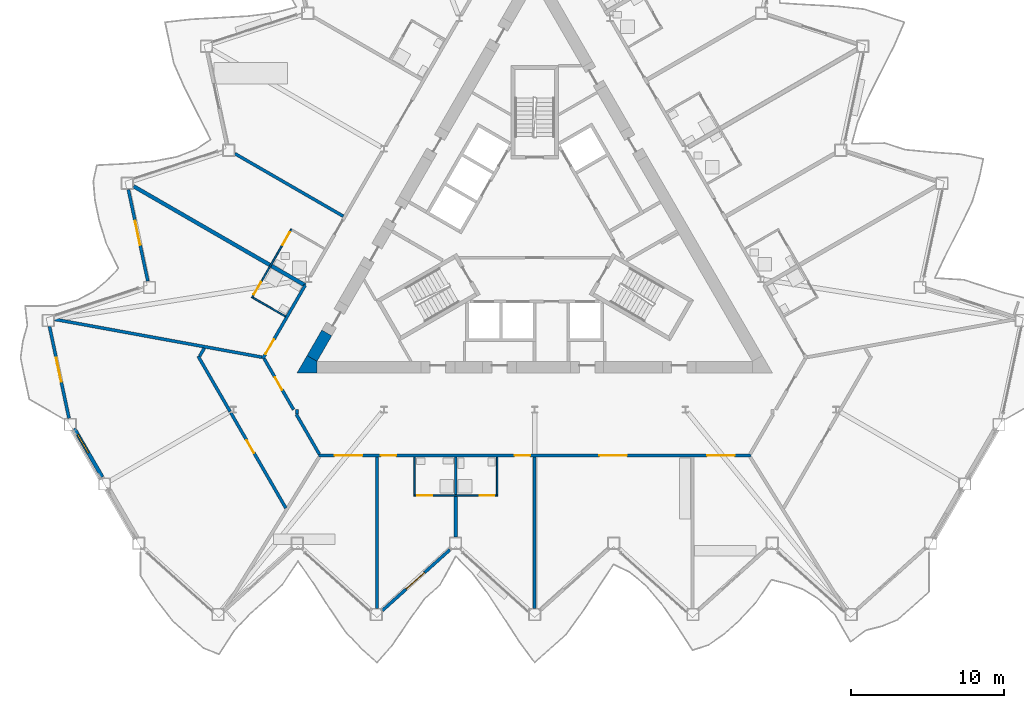
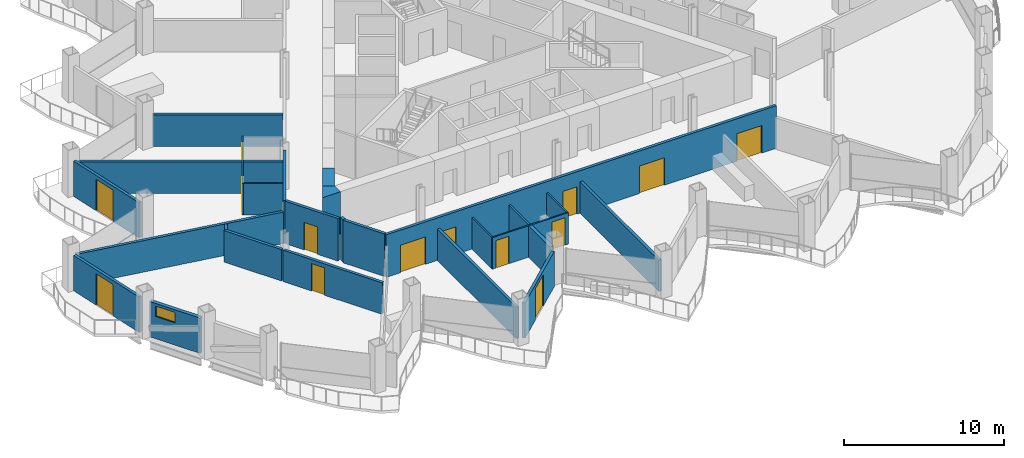
# One storey, part 11 of 24: 26 walls, 15 doors, 1 window, 16 openings.
"""IFC4 building model written with IfcOpenShell, lengths in metres."""

from ifc_helpers import new_model, si_unit, direction, frame, frame_2d, origin, place, context, subcontext, project, spatial, polyline, rectangle, outline, extrude, material, layer, layer_set, type_object, element, fill, save


model = new_model("IFC4")

# Units and contexts
model_context = context("Model", 3, precision=1e-05, world=origin(), true_north=direction((0.0, 1.0)))
body_context = subcontext(model_context, "Body", "Model", "MODEL_VIEW")
ifc_project = project(units=[si_unit("LENGTHUNIT", "METRE"), si_unit("AREAUNIT", "SQUARE_METRE"), si_unit("VOLUMEUNIT", "CUBIC_METRE"), si_unit("PLANEANGLEUNIT", "RADIAN"), si_unit("MASSUNIT", "GRAM", prefix="KILO")], contexts=[model_context])

# Site, building, storey
site_placement = place(None, origin())
site = spatial("IfcSite", under=ifc_project, at=site_placement, CompositionType="ELEMENT")
building_placement = place(site_placement, origin())
building = spatial("IfcBuilding", under=site, at=building_placement, Name="Cormorant Prow Tower", CompositionType="ELEMENT")
storey_placement = place(building_placement, frame((0.0, 0.0, 201.60009765625)))
storey = spatial("IfcBuildingStorey", under=building, at=storey_placement, Name="L44", CompositionType="ELEMENT", Elevation=201.60009765625)

# Walls
ifc_material_1 = material(Name="Concrete 8000 psi", Category="concrete")
ifc_layer_1 = layer(ifc_material_1, 0.75)
ifc_layer_set_1 = layer_set([ifc_layer_1], Name="Concrete 8000 psi")
wall_type_1 = type_object("IfcWallType", Name="Core shear wall 750", PredefinedType="SHEAR", material=ifc_layer_set_1)
wall_1_placement = place(storey_placement, frame((-13.564208984375, -6.34619140625, 0.0), z_axis=(0.0, 0.0, 1.0), x_axis=(-0.499989888488, -0.86603124159, 0.0)))
element("IfcWall", 1, at=wall_1_placement, inside=storey, type_object=wall_type_1, Name="Core wall", PredefinedType="SHEAR", context=body_context, shape_type="SweptSolid", body=[
    extrude(rectangle(XDim=1.9228515625, YDim=0.75, at=frame_2d((0.96142578125, 0.0))), origin(), (0.0, 0.0, 1.0), 3.25),
])
wall_2_placement = place(storey_placement, origin())
element("IfcWall", 2, at=wall_2_placement, inside=storey, type_object=wall_type_1, Name="Core wall corner", PredefinedType="SHEAR", context=body_context, shape_type="SweptSolid", body=[
    extrude(outline(polyline([(-14.8505859375, -7.823974609375), (-14.200927734375, -8.198974609375), (-14.200927734375, -8.948974609375), (-15.5, -8.948974609375), (-14.8505859375, -7.823974609375)])), origin(), (0.0, 0.0, 1.0), 3.25),
])

# Wall, openings, doors
ifc_material_2 = material(Name="Gypsum board corridor wall")
ifc_layer_2 = layer(ifc_material_2, 0.199951171875)
ifc_layer_set_2 = layer_set([ifc_layer_2], Name="Gypsum board corridor wall")
wall_type_2 = type_object("IfcWallType", Name="Corridor wall 200", PredefinedType="PARTITIONING", material=ifc_layer_set_2)
wall_3_placement = place(storey_placement, frame((-14.098876953125, -14.348876953125, 0.0), z_axis=(0.0, 0.0, 1.0), x_axis=(1.0, 0.0, 0.0)))
wall_3 = element("IfcWall", 3, at=wall_3_placement, inside=storey, type_object=wall_type_2, Name="Corridor wall", PredefinedType="PARTITIONING", context=body_context, shape_type="SweptSolid", body=[
    extrude(rectangle(XDim=28.19775390625, YDim=0.199951171875, at=frame_2d((14.098876953125, 0.0))), origin(), (0.0, 0.0, 1.0), 3.25),
])
opening_1_placement = place(wall_3_placement, frame((1.052978515625, 0.0, 0.0)))
opening_1 = element("IfcOpeningElement", 4, at=opening_1_placement, cuts=wall_3, Name="Opening L44-F01", PredefinedType="OPENING", context=body_context, shape_type="SweptSolid", body=[
    extrude(rectangle(XDim=1.800048828125, YDim=2.10009765625, at=frame_2d((0.89990234375, 1.050048828125))), frame((0.0, 0.10986328125, 0.0), z_axis=(0.0, -1.0, 0.0), x_axis=(1.0, 0.0, 0.0)), (0.0, 0.0, 1.0), 0.219970703125),
])
opening_2_placement = place(wall_3_placement, frame((4.06396484375, 0.0, 0.0)))
opening_2 = element("IfcOpeningElement", 5, at=opening_2_placement, cuts=wall_3, Name="Opening L44-F02", PredefinedType="OPENING", context=body_context, shape_type="SweptSolid", body=[
    extrude(rectangle(XDim=1.0, YDim=2.10009765625, at=frame_2d((0.5, 1.050048828125))), frame((0.0, 0.10986328125, 0.0), z_axis=(0.0, -1.0, 0.0), x_axis=(1.0, 0.0, 0.0)), (0.0, 0.0, 1.0), 0.219970703125),
])
opening_3_placement = place(wall_3_placement, frame((12.7958984375, 0.0, 0.0)))
opening_3 = element("IfcOpeningElement", 6, at=opening_3_placement, cuts=wall_3, Name="Opening L44-F04", PredefinedType="OPENING", context=body_context, shape_type="SweptSolid", body=[
    extrude(rectangle(XDim=1.0, YDim=2.10009765625, at=frame_2d((0.5, 1.050048828125))), frame((0.0, 0.10986328125, 0.0), z_axis=(0.0, -1.0, 0.0), x_axis=(1.0, 0.0, 0.0)), (0.0, 0.0, 1.0), 0.219970703125),
])
opening_4_placement = place(wall_3_placement, frame((18.318115234375, 0.0, 0.0)))
opening_4 = element("IfcOpeningElement", 7, at=opening_4_placement, cuts=wall_3, Name="Opening L44-F06", PredefinedType="OPENING", context=body_context, shape_type="SweptSolid", body=[
    extrude(rectangle(XDim=1.800048828125, YDim=2.10009765625, at=frame_2d((0.89990234375, 1.050048828125))), frame((0.0, 0.10986328125, 0.0), z_axis=(0.0, -1.0, 0.0), x_axis=(1.0, 0.0, 0.0)), (0.0, 0.0, 1.0), 0.219970703125),
])
opening_5_placement = place(wall_3_placement, frame((25.3447265625, 0.0, 0.0)))
opening_5 = element("IfcOpeningElement", 8, at=opening_5_placement, cuts=wall_3, Name="Opening L44-F07", PredefinedType="OPENING", context=body_context, shape_type="SweptSolid", body=[
    extrude(rectangle(XDim=1.800048828125, YDim=2.10009765625, at=frame_2d((0.89990234375, 1.050048828125))), frame((0.0, 0.10986328125, 0.0), z_axis=(0.0, -1.0, 0.0), x_axis=(1.0, 0.0, 0.0)), (0.0, 0.0, 1.0), 0.219970703125),
])
ifc_material_3 = material(Name="Timber door leaf", Category="wood")
door_type_1 = type_object("IfcDoorType", Name="Double door 1800x2100", OperationType="DOUBLE_DOOR_SINGLE_SWING", PredefinedType="DOOR", material=ifc_material_3)
door_1_placement = place(opening_1_placement, origin())
door_1 = element("IfcDoor", 9, at=door_1_placement, inside=storey, type_object=door_type_1, Name="Fitness room door", OperationType="DOUBLE_DOOR_SINGLE_SWING", OverallHeight=2.10009765625, OverallWidth=1.800048828125, PredefinedType="DOOR", context=body_context, shape_type="SweptSolid", body=[
    extrude(rectangle(XDim=1.800048828125, YDim=2.10009765625, at=frame_2d((0.89990234375, 1.050048828125))), frame((0.0, 0.02490234375, 0.0), z_axis=(0.0, -1.0, 0.0), x_axis=(1.0, 0.0, 0.0)), (0.0, 0.0, 1.0), 0.050048828125),
])
fill(opening_1, door_1)
door_2_placement = place(opening_4_placement, origin())
door_2 = element("IfcDoor", 10, at=door_2_placement, inside=storey, type_object=door_type_1, Name="Yoga studio door", OperationType="DOUBLE_DOOR_SINGLE_SWING", OverallHeight=2.10009765625, OverallWidth=1.800048828125, PredefinedType="DOOR", context=body_context, shape_type="SweptSolid", body=[
    extrude(rectangle(XDim=1.800048828125, YDim=2.10009765625, at=frame_2d((0.89990234375, 1.050048828125))), frame((0.0, 0.02490234375, 0.0), z_axis=(0.0, -1.0, 0.0), x_axis=(1.0, 0.0, 0.0)), (0.0, 0.0, 1.0), 0.050048828125),
])
fill(opening_4, door_2)
door_3_placement = place(opening_5_placement, origin())
door_3 = element("IfcDoor", 11, at=door_3_placement, inside=storey, type_object=door_type_1, Name="Wellness studio door", OperationType="DOUBLE_DOOR_SINGLE_SWING", OverallHeight=2.10009765625, OverallWidth=1.800048828125, PredefinedType="DOOR", context=body_context, shape_type="SweptSolid", body=[
    extrude(rectangle(XDim=1.800048828125, YDim=2.10009765625, at=frame_2d((0.89990234375, 1.050048828125))), frame((0.0, 0.02490234375, 0.0), z_axis=(0.0, -1.0, 0.0), x_axis=(1.0, 0.0, 0.0)), (0.0, 0.0, 1.0), 0.050048828125),
])
fill(opening_5, door_3)
ifc_material_4 = material(Name="Timber door leaf", Category="wood")
door_type_2 = type_object("IfcDoorType", Name="Flat or room entrance door 1000x2100", OperationType="NOTDEFINED", PredefinedType="DOOR", material=ifc_material_4)
door_4_placement = place(opening_2_placement, origin())
door_4 = element("IfcDoor", 12, at=door_4_placement, inside=storey, type_object=door_type_2, Name="Guest room door", OperationType="SINGLE_SWING_LEFT", OverallHeight=2.10009765625, OverallWidth=1.0, PredefinedType="DOOR", context=body_context, shape_type="SweptSolid", body=[
    extrude(rectangle(XDim=1.0, YDim=2.10009765625, at=frame_2d((0.5, 1.050048828125))), frame((0.0, 0.02490234375, 0.0), z_axis=(0.0, -1.0, 0.0), x_axis=(1.0, 0.0, 0.0)), (0.0, 0.0, 1.0), 0.050048828125),
])
fill(opening_2, door_4)
door_5_placement = place(opening_3_placement, origin())
door_5 = element("IfcDoor", 13, at=door_5_placement, inside=storey, type_object=door_type_2, Name="Guest room door", OperationType="SINGLE_SWING_RIGHT", OverallHeight=2.10009765625, OverallWidth=1.0, PredefinedType="DOOR", context=body_context, shape_type="SweptSolid", body=[
    extrude(rectangle(XDim=1.0, YDim=2.10009765625, at=frame_2d((0.5, 1.050048828125))), frame((0.0, 0.02490234375, 0.0), z_axis=(0.0, -1.0, 0.0), x_axis=(1.0, 0.0, 0.0)), (0.0, 0.0, 1.0), 0.050048828125),
])
fill(opening_3, door_5)

# Wall, opening, door
wall_4_placement = place(storey_placement, frame((-17.743896484375, -8.035400390625, 0.0), z_axis=(0.0, 0.0, 1.0), x_axis=(0.500003221507, 0.866023543838, 0.0)))
wall_4 = element("IfcWall", 14, at=wall_4_placement, inside=storey, type_object=wall_type_2, Name="Corridor wall", PredefinedType="PARTITIONING", context=body_context, shape_type="SweptSolid", body=[
    extrude(rectangle(XDim=5.544921875, YDim=0.199951171875, at=frame_2d((2.7724609375, 0.0))), origin(), (0.0, 0.0, 1.0), 3.25),
])
opening_6_placement = place(wall_4_placement, frame((0.35107421875, 0.0, 0.0)))
opening_6 = element("IfcOpeningElement", 15, at=opening_6_placement, cuts=wall_4, Name="Opening L44-F28", PredefinedType="OPENING", context=body_context, shape_type="SweptSolid", body=[
    extrude(rectangle(XDim=1.10009765625, YDim=2.10009765625, at=frame_2d((0.550048828125, 1.050048828125))), frame((0.0, 0.10986328125, 0.0), z_axis=(0.0, -1.0, 0.0), x_axis=(1.0, 0.0, 0.0)), (0.0, 0.0, 1.0), 0.219970703125),
])
ifc_material_5 = material(Name="Timber door leaf", Category="wood")
door_type_3 = type_object("IfcDoorType", Name="Suite entrance door 1100x2100", OperationType="NOTDEFINED", PredefinedType="DOOR", material=ifc_material_5)
door_6_placement = place(opening_6_placement, origin())
door_6 = element("IfcDoor", 16, at=door_6_placement, inside=storey, type_object=door_type_3, Name="Junior suite door", OperationType="SINGLE_SWING_LEFT", OverallHeight=2.10009765625, OverallWidth=1.10009765625, PredefinedType="DOOR", context=body_context, shape_type="SweptSolid", body=[
    extrude(rectangle(XDim=1.10009765625, YDim=2.10009765625, at=frame_2d((0.550048828125, 1.050048828125))), frame((0.0, 0.02490234375, 0.0), z_axis=(0.0, -1.0, 0.0), x_axis=(1.0, 0.0, 0.0)), (0.0, 0.0, 1.0), 0.050048828125),
])
fill(opening_6, door_6)

wall_5_placement = place(storey_placement, frame((-17.643798828125, -8.035400390625, 0.0), z_axis=(0.0, 0.0, 1.0), x_axis=(0.499961815444, -0.866047448526, 0.0)))
wall_5 = element("IfcWall", 17, at=wall_5_placement, inside=storey, type_object=wall_type_2, Name="Corridor wall", PredefinedType="PARTITIONING", context=body_context, shape_type="SweptSolid", body=[
    extrude(rectangle(XDim=3.825927734375, YDim=0.199951171875, at=frame_2d((1.9130859375, 0.0))), origin(), (0.0, 0.0, 1.0), 3.25),
])
opening_7_placement = place(wall_5_placement, frame((1.38623046875, 0.0, 0.0)))
opening_7 = element("IfcOpeningElement", 18, at=opening_7_placement, cuts=wall_5, Name="Opening L44-F30", PredefinedType="OPENING", context=body_context, shape_type="SweptSolid", body=[
    extrude(rectangle(XDim=0.949951171875, YDim=2.10009765625, at=frame_2d((0.47509765625, 1.050048828125))), frame((0.0, 0.10986328125, 0.0), z_axis=(0.0, -1.0, 0.0), x_axis=(1.0, 0.0, 0.0)), (0.0, 0.0, 1.0), 0.219970703125),
])
ifc_material_6 = material(Name="Timber door leaf", Category="wood")
door_type_4 = type_object("IfcDoorType", Name="Store door 950x2100", OperationType="NOTDEFINED", PredefinedType="DOOR", material=ifc_material_6)
door_7_placement = place(opening_7_placement, origin())
door_7 = element("IfcDoor", 19, at=door_7_placement, inside=storey, type_object=door_type_4, Name="Guest pantry door", OperationType="SINGLE_SWING_LEFT", OverallHeight=2.10009765625, OverallWidth=0.949951171875, PredefinedType="DOOR", context=body_context, shape_type="SweptSolid", body=[
    extrude(rectangle(XDim=0.949951171875, YDim=2.10009765625, at=frame_2d((0.47509765625, 1.050048828125))), frame((0.0, 0.02490234375, 0.0), z_axis=(0.0, -1.0, 0.0), x_axis=(1.0, 0.0, 0.0)), (0.0, 0.0, 1.0), 0.050048828125),
])
fill(opening_7, door_7)

# Walls
wall_6_placement = place(storey_placement, frame((-15.550048828125, -11.662353515625, 0.0), z_axis=(0.0, 0.0, 1.0), x_axis=(0.500048608389, -0.865997337899, 0.0)))
element("IfcWall", 20, at=wall_6_placement, inside=storey, type_object=wall_type_2, Name="Corridor wall", PredefinedType="PARTITIONING", context=body_context, shape_type="SweptSolid", body=[
    extrude(rectangle(XDim=3.002197265625, YDim=0.199951171875, at=frame_2d((1.5009765625, 0.0))), origin(), (0.0, 0.0, 1.0), 3.25),
])
wall_7_placement = place(storey_placement, frame((-15.5, -11.64892578125, 0.0), z_axis=(0.0, 0.0, 1.0), x_axis=(0.0, 1.0, 0.0)))
element("IfcWall", 21, at=wall_7_placement, inside=storey, type_object=wall_type_2, Name="Corridor wall", PredefinedType="PARTITIONING", context=body_context, shape_type="SweptSolid", body=[
    extrude(rectangle(XDim=0.31005859375, YDim=0.199951171875, at=frame_2d((0.155029296875, 0.0))), origin(), (0.0, 0.0, 1.0), 3.25),
])
ifc_material_7 = material(Name="Gypsum board demising wall")
ifc_layer_3 = layer(ifc_material_7, 0.199951171875)
ifc_layer_set_3 = layer_set([ifc_layer_3], Name="Gypsum board demising wall")
wall_type_3 = type_object("IfcWallType", Name="Demising wall 200", PredefinedType="PARTITIONING", material=ifc_layer_set_3)
wall_8_placement = place(storey_placement, frame((-31.3291015625, -5.4580078125, 0.0), z_axis=(0.0, 0.0, 1.0), x_axis=(0.983720538919, -0.179705039744, 0.0)))
element("IfcWall", 22, at=wall_8_placement, inside=storey, type_object=wall_type_3, Name="Demising wall", PredefinedType="PARTITIONING", context=body_context, shape_type="SweptSolid", body=[
    extrude(rectangle(XDim=13.760986328125, YDim=0.199951171875, at=frame_2d((6.88037109375, 0.0))), origin(), (0.0, 0.0, 1.0), 2.404052734375),
])
for number, where, z_axis, x_axis, name in (
    (23, (-10.296142578125, -24.3115234375, 0.0), (0.0, 0.0, 1.0), (0.0, 1.0, 0.0), "Demising wall"),
    (24, (0.0, -24.3115234375, 0.0), (0.0, 0.0, 1.0), (0.0, 1.0, 0.0), "Demising wall"),
):
    element("IfcWall", number, at=place(storey_placement, frame(where, z_axis=z_axis, x_axis=x_axis)), inside=storey, type_object=wall_type_3, Name=name, PredefinedType="PARTITIONING", context=body_context, shape_type="SweptSolid", body=[
        extrude(rectangle(XDim=9.862548828125, YDim=0.199951171875, at=frame_2d((4.93115234375, 0.0))), origin(), (0.0, 0.0, 1.0), 2.404052734375),
    ])
wall_9_placement = place(storey_placement, frame((-19.5546875, 5.345458984375, 0.0), z_axis=(0.0, 0.0, 1.0), x_axis=(0.866026623601, -0.49999788721, 0.0)))
element("IfcWall", 25, at=wall_9_placement, inside=storey, type_object=wall_type_3, Name="Demising wall", PredefinedType="PARTITIONING", context=body_context, shape_type="SweptSolid", body=[
    extrude(rectangle(XDim=8.15869140625, YDim=0.199951171875, at=frame_2d((4.079345703125, 0.0))), origin(), (0.0, 0.0, 1.0), 2.404052734375),
])

# Wall, opening, door
wall_10_placement = place(storey_placement, frame((-19.822265625, -11.5625, 0.0), z_axis=(0.0, 0.0, 1.0), x_axis=(0.500008997517, -0.866020209003, 0.0)))
wall_10 = element("IfcWall", 26, at=wall_10_placement, inside=storey, type_object=wall_type_3, Name="Demising wall", PredefinedType="PARTITIONING", context=body_context, shape_type="SweptSolid", body=[
    extrude(rectangle(XDim=7.178466796875, YDim=0.199951171875, at=frame_2d((3.58935546875, 0.0))), origin(), (0.0, 0.0, 1.0), 2.404052734375),
])
opening_8_placement = place(wall_10_placement, frame((2.05908203125, 0.0, 0.0)))
opening_8 = element("IfcOpeningElement", 27, at=opening_8_placement, cuts=wall_10, Name="Opening L44-F31", PredefinedType="OPENING", context=body_context, shape_type="SweptSolid", body=[
    extrude(rectangle(XDim=0.949951171875, YDim=2.10009765625, at=frame_2d((0.47509765625, 1.050048828125))), frame((0.0, 0.10986328125, 0.0), z_axis=(0.0, -1.0, 0.0), x_axis=(1.0, 0.0, 0.0)), (0.0, 0.0, 1.0), 0.219970703125),
])
door_8_placement = place(opening_8_placement, origin())
door_8 = element("IfcDoor", 28, at=door_8_placement, inside=storey, type_object=door_type_4, Name="Luggage store door", OperationType="SINGLE_SWING_LEFT", OverallHeight=2.10009765625, OverallWidth=0.949951171875, PredefinedType="DOOR", context=body_context, shape_type="SweptSolid", body=[
    extrude(rectangle(XDim=0.949951171875, YDim=2.10009765625, at=frame_2d((0.47509765625, 1.050048828125))), frame((0.0, 0.02490234375, 0.0), z_axis=(0.0, -1.0, 0.0), x_axis=(1.0, 0.0, 0.0)), (0.0, 0.0, 1.0), 0.050048828125),
])
fill(opening_8, door_8)

# Walls
wall_11_placement = place(storey_placement, frame((-21.95849609375, -7.8623046875, 0.0), z_axis=(0.0, 0.0, 1.0), x_axis=(0.499987304225, -0.866032733569, 0.0)))
element("IfcWall", 29, at=wall_11_placement, inside=storey, type_object=wall_type_3, Name="Demising wall", PredefinedType="PARTITIONING", context=body_context, shape_type="SweptSolid", body=[
    extrude(rectangle(XDim=4.17578125, YDim=0.199951171875, at=frame_2d((2.087890625, 0.0))), origin(), (0.0, 0.0, 1.0), 2.404052734375),
])
wall_12_placement = place(storey_placement, frame((-21.858642578125, -7.8623046875, 0.0), z_axis=(0.0, 0.0, 1.0), x_axis=(0.50022374246, 0.865896187473, 0.0)))
element("IfcWall", 30, at=wall_12_placement, inside=storey, type_object=wall_type_3, Name="Demising wall", PredefinedType="PARTITIONING", context=body_context, shape_type="SweptSolid", body=[
    extrude(rectangle(XDim=0.604248046875, YDim=0.199951171875, at=frame_2d((0.30224609375, 0.0))), origin(), (0.0, 0.0, 1.0), 2.404052734375),
])

# Wall, openings, doors
ifc_material_8 = material(Name="Gypsum board partition")
ifc_layer_4 = layer(ifc_material_8, 0.10009765625)
ifc_layer_set_4 = layer_set([ifc_layer_4], Name="Gypsum board partition")
wall_type_4 = type_object("IfcWallType", Name="Internal partition 100", PredefinedType="PARTITIONING", material=ifc_layer_set_4)
wall_13_placement = place(storey_placement, frame((-7.89794921875, -16.948974609375, 0.0), z_axis=(0.0, 0.0, 1.0), x_axis=(1.0, 0.0, 0.0)))
wall_13 = element("IfcWall", 31, at=wall_13_placement, inside=storey, type_object=wall_type_4, Name="Internal partition", PredefinedType="PARTITIONING", context=body_context, shape_type="SweptSolid", body=[
    extrude(rectangle(XDim=5.5, YDim=0.10009765625, at=frame_2d((2.75, 0.0))), origin(), (0.0, 0.0, 1.0), 2.404052734375),
])
opening_9_placement = place(wall_13_placement, frame((0.25, 0.0, 0.0)))
opening_9 = element("IfcOpeningElement", 32, at=opening_9_placement, cuts=wall_13, Name="Opening L44-F03", PredefinedType="OPENING", context=body_context, shape_type="SweptSolid", body=[
    extrude(rectangle(XDim=0.949951171875, YDim=2.10009765625, at=frame_2d((0.47509765625, 1.050048828125))), frame((0.0, 0.06005859375, 0.0), z_axis=(0.0, -1.0, 0.0), x_axis=(1.0, 0.0, 0.0)), (0.0, 0.0, 1.0), 0.1201171875),
])
opening_10_placement = place(wall_13_placement, frame((4.300048828125, 0.0, 0.0)))
opening_10 = element("IfcOpeningElement", 33, at=opening_10_placement, cuts=wall_13, Name="Opening L44-F05", PredefinedType="OPENING", context=body_context, shape_type="SweptSolid", body=[
    extrude(rectangle(XDim=0.949951171875, YDim=2.10009765625, at=frame_2d((0.47509765625, 1.050048828125))), frame((0.0, 0.06005859375, 0.0), z_axis=(0.0, -1.0, 0.0), x_axis=(1.0, 0.0, 0.0)), (0.0, 0.0, 1.0), 0.1201171875),
])
ifc_material_9 = material(Name="Timber door leaf", Category="wood")
door_type_5 = type_object("IfcDoorType", Name="Bathroom door 950x2100", OperationType="NOTDEFINED", PredefinedType="DOOR", material=ifc_material_9)
door_9_placement = place(opening_9_placement, origin())
door_9 = element("IfcDoor", 34, at=door_9_placement, inside=storey, type_object=door_type_5, Name="Guest room door", OperationType="SINGLE_SWING_LEFT", OverallHeight=2.10009765625, OverallWidth=0.949951171875, PredefinedType="DOOR", context=body_context, shape_type="SweptSolid", body=[
    extrude(rectangle(XDim=0.949951171875, YDim=2.10009765625, at=frame_2d((0.47509765625, 1.050048828125))), frame((0.0, 0.02490234375, 0.0), z_axis=(0.0, -1.0, 0.0), x_axis=(1.0, 0.0, 0.0)), (0.0, 0.0, 1.0), 0.050048828125),
])
fill(opening_9, door_9)
door_10_placement = place(opening_10_placement, origin())
door_10 = element("IfcDoor", 35, at=door_10_placement, inside=storey, type_object=door_type_5, Name="Guest room door", OperationType="SINGLE_SWING_RIGHT", OverallHeight=2.10009765625, OverallWidth=0.949951171875, PredefinedType="DOOR", context=body_context, shape_type="SweptSolid", body=[
    extrude(rectangle(XDim=0.949951171875, YDim=2.10009765625, at=frame_2d((0.47509765625, 1.050048828125))), frame((0.0, 0.02490234375, 0.0), z_axis=(0.0, -1.0, 0.0), x_axis=(1.0, 0.0, 0.0)), (0.0, 0.0, 1.0), 0.050048828125),
])
fill(opening_10, door_10)

wall_14_placement = place(storey_placement, frame((-18.453125, -4.06396484375, 0.0), z_axis=(0.0, 0.0, 1.0), x_axis=(0.499971721724, 0.866041729639, 0.0)))
wall_14 = element("IfcWall", 36, at=wall_14_placement, inside=storey, type_object=wall_type_4, Name="Internal partition", PredefinedType="PARTITIONING", context=body_context, shape_type="SweptSolid", body=[
    extrude(rectangle(XDim=5.199951171875, YDim=0.10009765625, at=frame_2d((2.60009765625, 0.0))), origin(), (0.0, 0.0, 1.0), 2.404052734375),
])
opening_11_placement = place(wall_14_placement, frame((4.0, 0.0, 0.0)))
opening_11 = element("IfcOpeningElement", 37, at=opening_11_placement, cuts=wall_14, Name="Opening L44-F27", PredefinedType="OPENING", context=body_context, shape_type="SweptSolid", body=[
    extrude(rectangle(XDim=0.949951171875, YDim=2.10009765625, at=frame_2d((0.47509765625, 1.050048828125))), frame((0.0, 0.06005859375, 0.0), z_axis=(0.0, -1.0, 0.0), x_axis=(1.0, 0.0, 0.0)), (0.0, 0.0, 1.0), 0.1201171875),
])
opening_12_placement = place(wall_14_placement, frame((0.25, 0.0, 0.0)))
opening_12 = element("IfcOpeningElement", 38, at=opening_12_placement, cuts=wall_14, Name="Opening L44-F29", PredefinedType="OPENING", context=body_context, shape_type="SweptSolid", body=[
    extrude(rectangle(XDim=0.949951171875, YDim=2.10009765625, at=frame_2d((0.47509765625, 1.050048828125))), frame((0.0, 0.06005859375, 0.0), z_axis=(0.0, -1.0, 0.0), x_axis=(1.0, 0.0, 0.0)), (0.0, 0.0, 1.0), 0.1201171875),
])
door_11_placement = place(opening_11_placement, origin())
door_11 = element("IfcDoor", 39, at=door_11_placement, inside=storey, type_object=door_type_5, Name="Guest room door", OperationType="SINGLE_SWING_RIGHT", OverallHeight=2.10009765625, OverallWidth=0.949951171875, PredefinedType="DOOR", context=body_context, shape_type="SweptSolid", body=[
    extrude(rectangle(XDim=0.949951171875, YDim=2.10009765625, at=frame_2d((0.47509765625, 1.050048828125))), frame((0.0, 0.02490234375, 0.0), z_axis=(0.0, -1.0, 0.0), x_axis=(1.0, 0.0, 0.0)), (0.0, 0.0, 1.0), 0.050048828125),
])
fill(opening_11, door_11)
door_12_placement = place(opening_12_placement, origin())
door_12 = element("IfcDoor", 40, at=door_12_placement, inside=storey, type_object=door_type_5, Name="Junior suite door", OperationType="SINGLE_SWING_LEFT", OverallHeight=2.10009765625, OverallWidth=0.949951171875, PredefinedType="DOOR", context=body_context, shape_type="SweptSolid", body=[
    extrude(rectangle(XDim=0.949951171875, YDim=2.10009765625, at=frame_2d((0.47509765625, 1.050048828125))), frame((0.0, 0.02490234375, 0.0), z_axis=(0.0, -1.0, 0.0), x_axis=(1.0, 0.0, 0.0)), (0.0, 0.0, 1.0), 0.050048828125),
])
fill(opening_12, door_12)

# Walls
for number, where, z_axis, x_axis, name in (
    (41, (-18.385009765625, -4.045654296875, 0.0), (0.0, 0.0, 1.0), (0.866057815567, -0.499943856944, 0.0), "Internal partition"),
    (42, (-7.847900390625, -16.89892578125, 0.0), (0.0, 0.0, 1.0), (0.0, 1.0, 0.0), "Internal partition"),
    (43, (-2.447998046875, -16.89892578125, 0.0), (0.0, 0.0, 1.0), (0.0, 1.0, 0.0), "Internal partition"),
):
    element("IfcWall", number, at=place(storey_placement, frame(where, z_axis=z_axis, x_axis=x_axis)), inside=storey, type_object=wall_type_4, Name=name, PredefinedType="PARTITIONING", context=body_context, shape_type="SweptSolid", body=[
        extrude(rectangle(XDim=2.449951171875, YDim=0.10009765625, at=frame_2d((1.22509765625, 0.0))), origin(), (0.0, 0.0, 1.0), 2.404052734375),
    ])
ifc_material_10 = material(Name="Acoustic gypsum party wall")
ifc_layer_5 = layer(ifc_material_10, 0.25)
ifc_layer_set_5 = layer_set([ifc_layer_5], Name="Acoustic gypsum party wall")
wall_type_5 = type_object("IfcWallType", Name="Suite party wall 250", PredefinedType="PARTITIONING", material=ifc_layer_set_5)
wall_15_placement = place(storey_placement, frame((-26.164306640625, 3.217041015625, 0.0), z_axis=(0.0, 0.0, 1.0), x_axis=(0.866026026416, -0.499998921569, 0.0)))
element("IfcWall", 44, at=wall_15_placement, inside=storey, type_object=wall_type_5, Name="Suite party wall", PredefinedType="PARTITIONING", context=body_context, shape_type="SweptSolid", body=[
    extrude(rectangle(XDim=12.91845703125, YDim=0.25, at=frame_2d((6.459228515625, 0.0))), origin(), (0.0, 0.0, 1.0), 2.404052734375),
])
wall_16_placement = place(storey_placement, frame((-5.14794921875, -19.661376953125, 0.0), z_axis=(0.0, 0.0, 1.0), x_axis=(0.0, 1.0, 0.0)))
element("IfcWall", 45, at=wall_16_placement, inside=storey, type_object=wall_type_5, Name="Suite party wall", PredefinedType="PARTITIONING", context=body_context, shape_type="SweptSolid", body=[
    extrude(rectangle(XDim=2.66259765625, YDim=0.25, at=frame_2d((1.331298828125, 0.0))), origin(), (0.0, 0.0, 1.0), 2.404052734375),
])

# Wall, opening, window
ifc_material_11 = material(Name="Terracotta", Category="masonry")
ifc_layer_6 = layer(ifc_material_11, 0.25)
ifc_layer_set_6 = layer_set([ifc_layer_6], Name="Terracotta")
wall_type_6 = type_object("IfcWallType", Name="Terracotta bay wall 250", PredefinedType="SOLIDWALL", material=ifc_layer_set_6)
wall_17_placement = place(storey_placement, frame((-30.040771484375, -12.5810546875, 0.0), z_axis=(0.0, 0.0, 1.0), x_axis=(0.499978523533, -0.866037802874, 0.0)))
wall_17 = element("IfcWall", 46, at=wall_17_placement, inside=storey, type_object=wall_type_6, Name="Terracotta bay wall WSW00", PredefinedType="SOLIDWALL", context=body_context, shape_type="SweptSolid", body=[
    extrude(rectangle(XDim=3.658935546875, YDim=0.25, at=frame_2d((1.82958984375, 0.0))), origin(), (0.0, 0.0, 1.0), 2.70068359375),
])
opening_13_placement = place(wall_17_placement, frame((0.449951171875, 0.0, 1.699951171875)))
opening_13 = element("IfcOpeningElement", 47, at=opening_13_placement, cuts=wall_17, Name="Opening WN3", PredefinedType="OPENING", context=body_context, shape_type="SweptSolid", body=[
    extrude(rectangle(XDim=1.39990234375, YDim=0.800048828125, at=frame_2d((0.699951171875, 0.39990234375))), frame((0.0, 0.135009765625, 0.0), z_axis=(0.0, -1.0, 0.0), x_axis=(1.0, 0.0, 0.0)), (0.0, 0.0, 1.0), 0.27001953125),
])
ifc_material_12 = material(Name="Aluminium 6063-T6", Category="aluminium")
window_type = type_object("IfcWindowType", Name="Corner bay window 1400x800", PartitioningType="SINGLE_PANEL", PredefinedType="WINDOW", material=ifc_material_12)
window_placement = place(opening_13_placement, origin())
window = element("IfcWindow", 48, at=window_placement, inside=storey, type_object=window_type, Name="Corner bay window WSW00", OverallHeight=0.800048828125, OverallWidth=1.39990234375, PartitioningType="SINGLE_PANEL", PredefinedType="WINDOW", context=body_context, shape_type="SweptSolid", body=[
    extrude(rectangle(XDim=1.39990234375, YDim=0.800048828125, at=frame_2d((0.699951171875, 0.39990234375))), frame((0.0, 0.030029296875, 0.0), z_axis=(0.0, -1.0, 0.0), x_axis=(1.0, 0.0, 0.0)), (0.0, 0.0, 1.0), 0.06005859375),
])
fill(opening_13, window)

# Wall, opening, door
ifc_material_13 = material(Name="Terracotta", Category="masonry")
ifc_layer_7 = layer(ifc_material_13, 0.199951171875)
ifc_layer_set_7 = layer_set([ifc_layer_7], Name="Terracotta")
wall_type_7 = type_object("IfcWallType", Name="Terracotta jamb wall 200", PredefinedType="SOLIDWALL", material=ifc_layer_set_7)
wall_18_placement = place(storey_placement, frame((-9.94091796875, -24.4609375, 0.0), z_axis=(0.0, 0.0, 1.0), x_axis=(0.743160949979, 0.669112697852, 0.0)))
wall_18 = element("IfcWall", 49, at=wall_18_placement, inside=storey, type_object=wall_type_7, Name="Terracotta jamb wall S03", PredefinedType="SOLIDWALL", context=body_context, shape_type="SweptSolid", body=[
    extrude(rectangle(XDim=5.9248046875, YDim=0.199951171875, at=frame_2d((2.96240234375, 0.0))), origin(), (0.0, 0.0, 1.0), 2.70068359375),
])
opening_14_placement = place(wall_18_placement, frame((2.095703125, 0.0, 0.0)))
opening_14 = element("IfcOpeningElement", 50, at=opening_14_placement, cuts=wall_18, Name="Opening ED44.02", PredefinedType="OPENING", context=body_context, shape_type="SweptSolid", body=[
    extrude(rectangle(XDim=1.60009765625, YDim=2.39990234375, at=frame_2d((0.800048828125, 1.199951171875))), frame((0.0, 0.10986328125, 0.0), z_axis=(0.0, -1.0, 0.0), x_axis=(1.0, 0.0, 0.0)), (0.0, 0.0, 1.0), 0.219970703125),
])
ifc_material_14 = material(Name="Aluminium 6063-T6", Category="aluminium")
door_type_6 = type_object("IfcDoorType", Name="Balcony door 1600x2400", OperationType="DOUBLE_DOOR_SINGLE_SWING", PredefinedType="DOOR", material=ifc_material_14)
door_13_placement = place(opening_14_placement, origin())
door_13 = element("IfcDoor", 51, at=door_13_placement, inside=storey, type_object=door_type_6, Name="Balcony door S03 ED44.02", OperationType="DOUBLE_DOOR_SINGLE_SWING", OverallHeight=2.39990234375, OverallWidth=1.60009765625, PredefinedType="DOOR", context=body_context, shape_type="SweptSolid", body=[
    extrude(rectangle(XDim=1.60009765625, YDim=2.39990234375, at=frame_2d((0.800048828125, 1.199951171875))), frame((0.0, 0.02490234375, 0.0), z_axis=(0.0, -1.0, 0.0), x_axis=(1.0, 0.0, 0.0)), (0.0, 0.0, 1.0), 0.050048828125),
])
fill(opening_14, door_13)

wall_19_placement = place(storey_placement, frame((-26.509521484375, 3.00634765625, 0.0), z_axis=(0.0, 0.0, 1.0), x_axis=(0.207920445063, -0.978145739921, 0.0)))
wall_19 = element("IfcWall", 52, at=wall_19_placement, inside=storey, type_object=wall_type_7, Name="Terracotta jamb wall WNW07", PredefinedType="SOLIDWALL", context=body_context, shape_type="SweptSolid", body=[
    extrude(rectangle(XDim=6.10595703125, YDim=0.199951171875, at=frame_2d((3.052978515625, 0.0))), origin(), (0.0, 0.0, 1.0), 2.70068359375),
])
opening_15_placement = place(wall_19_placement, frame((2.095703125, 0.0, 0.0)))
opening_15 = element("IfcOpeningElement", 53, at=opening_15_placement, cuts=wall_19, Name="Opening ED44.14", PredefinedType="OPENING", context=body_context, shape_type="SweptSolid", body=[
    extrude(rectangle(XDim=1.60009765625, YDim=2.39990234375, at=frame_2d((0.800048828125, 1.199951171875))), frame((0.0, 0.10986328125, 0.0), z_axis=(0.0, -1.0, 0.0), x_axis=(1.0, 0.0, 0.0)), (0.0, 0.0, 1.0), 0.219970703125),
])
door_14_placement = place(opening_15_placement, origin())
door_14 = element("IfcDoor", 54, at=door_14_placement, inside=storey, type_object=door_type_6, Name="Balcony door WNW07 ED44.14", OperationType="DOUBLE_DOOR_SINGLE_SWING", OverallHeight=2.39990234375, OverallWidth=1.60009765625, PredefinedType="DOOR", context=body_context, shape_type="SweptSolid", body=[
    extrude(rectangle(XDim=1.60009765625, YDim=2.39990234375, at=frame_2d((0.800048828125, 1.199951171875))), frame((0.0, 0.02490234375, 0.0), z_axis=(0.0, -1.0, 0.0), x_axis=(1.0, 0.0, 0.0)), (0.0, 0.0, 1.0), 0.050048828125),
])
fill(opening_15, door_14)

wall_20_placement = place(storey_placement, frame((-31.657470703125, -5.910400390625, 0.0), z_axis=(0.0, 0.0, 1.0), x_axis=(0.207917293494, -0.978146409831, 0.0)))
wall_20 = element("IfcWall", 55, at=wall_20_placement, inside=storey, type_object=wall_type_7, Name="Terracotta jamb wall WNW09", PredefinedType="SOLIDWALL", context=body_context, shape_type="SweptSolid", body=[
    extrude(rectangle(XDim=6.13525390625, YDim=0.199951171875, at=frame_2d((3.067626953125, 0.0))), origin(), (0.0, 0.0, 1.0), 2.70068359375),
])
opening_16_placement = place(wall_20_placement, frame((2.095703125, 0.0, 0.0)))
opening_16 = element("IfcOpeningElement", 56, at=opening_16_placement, cuts=wall_20, Name="Opening ED44.15", PredefinedType="OPENING", context=body_context, shape_type="SweptSolid", body=[
    extrude(rectangle(XDim=1.60009765625, YDim=2.39990234375, at=frame_2d((0.800048828125, 1.199951171875))), frame((0.0, 0.10986328125, 0.0), z_axis=(0.0, -1.0, 0.0), x_axis=(1.0, 0.0, 0.0)), (0.0, 0.0, 1.0), 0.219970703125),
])
door_15_placement = place(opening_16_placement, origin())
door_15 = element("IfcDoor", 57, at=door_15_placement, inside=storey, type_object=door_type_6, Name="Balcony door WNW09 ED44.15", OperationType="DOUBLE_DOOR_SINGLE_SWING", OverallHeight=2.39990234375, OverallWidth=1.60009765625, PredefinedType="DOOR", context=body_context, shape_type="SweptSolid", body=[
    extrude(rectangle(XDim=1.60009765625, YDim=2.39990234375, at=frame_2d((0.800048828125, 1.199951171875))), frame((0.0, 0.02490234375, 0.0), z_axis=(0.0, -1.0, 0.0), x_axis=(1.0, 0.0, 0.0)), (0.0, 0.0, 1.0), 0.050048828125),
])
fill(opening_16, door_15)

# Wall
ifc_material_15 = material(Name="Plasterboard wet wall with pipe chase")
ifc_layer_8 = layer(ifc_material_15, 0.14990234375)
ifc_layer_set_8 = layer_set([ifc_layer_8], Name="Plasterboard wet wall with pipe chase")
wall_type_8 = type_object("IfcWallType", Name="Wet wall 150", PredefinedType="PLUMBINGWALL", material=ifc_layer_set_8)
wall_21_placement = place(storey_placement, frame((-5.14794921875, -16.89892578125, 0.0), z_axis=(0.0, 0.0, 1.0), x_axis=(0.0, 1.0, 0.0)))
element("IfcWall", 58, at=wall_21_placement, inside=storey, type_object=wall_type_8, Name="Wet wall", PredefinedType="PLUMBINGWALL", context=body_context, shape_type="SweptSolid", body=[
    extrude(rectangle(XDim=2.449951171875, YDim=0.14990234375, at=frame_2d((1.22509765625, 0.0))), origin(), (0.0, 0.0, 1.0), 2.404052734375),
])

save(model, "model.ifc")
